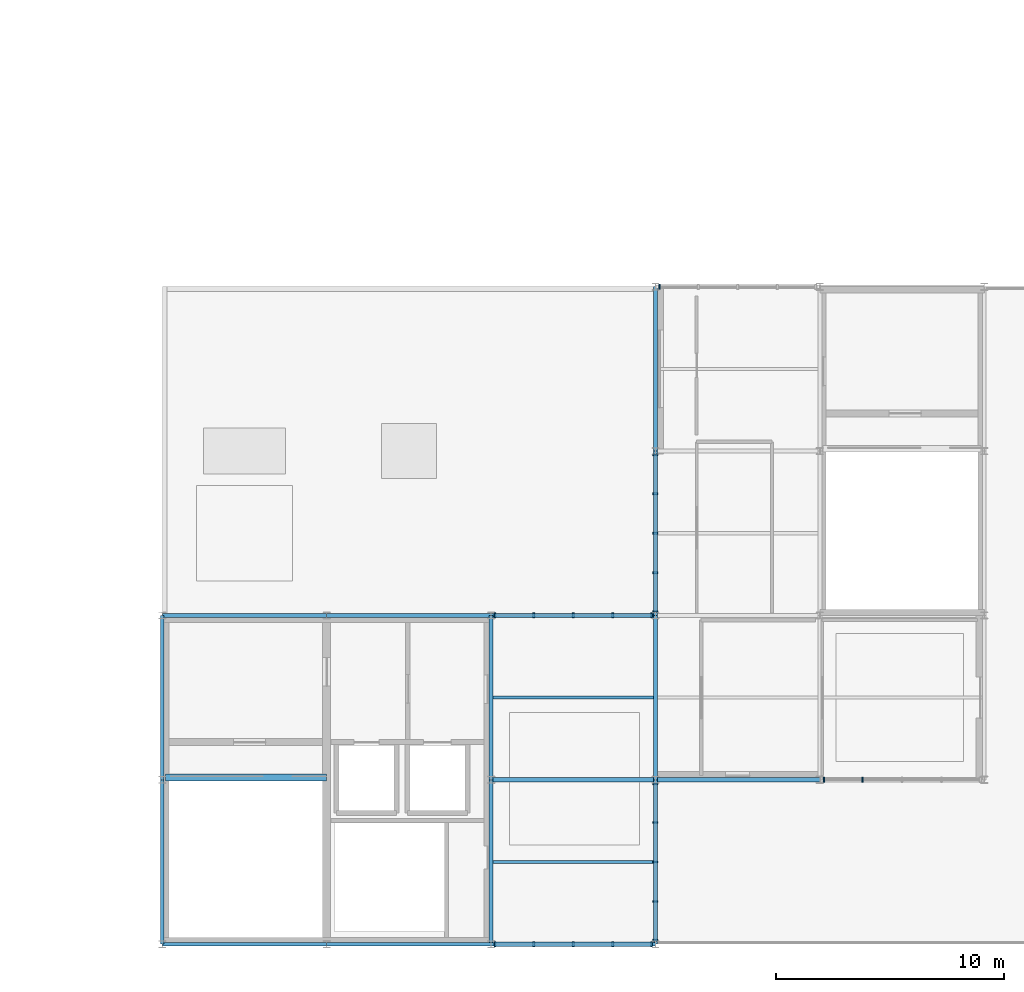
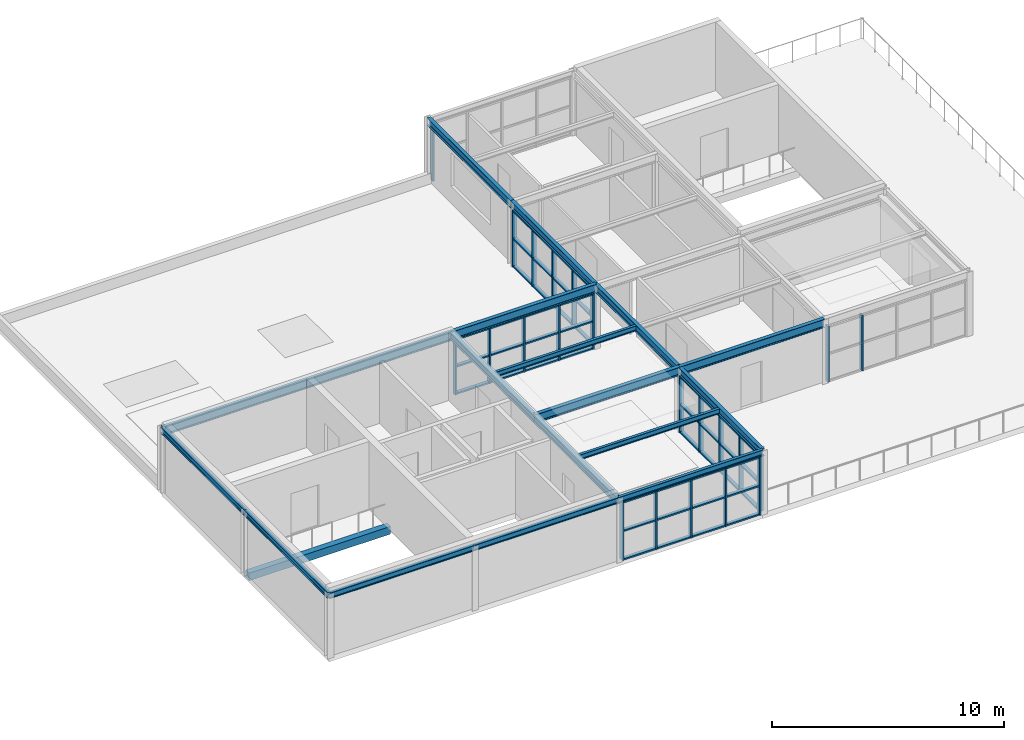
# One storey, part 11 of 22: 35 members, 19 beams, 6 elements without a shape of their own.
"""IFC4 building model written with IfcOpenShell, lengths in metres."""

from ifc_helpers import new_model, si_unit, direction, frame, origin, origin_2d, place, context, subcontext, project, spatial, rectangle, i_section, extrude, material, material_profile, profile_set, type_object, element, aggregate, save


model = new_model("IFC4")

# Units and contexts
model_context = context("Model", 3, precision=1e-05, world=origin(), true_north=direction((0.0, 1.0)))
body_context = subcontext(model_context, "Body", "Model", "MODEL_VIEW")
ifc_project = project(units=[si_unit("LENGTHUNIT", "METRE"), si_unit("AREAUNIT", "SQUARE_METRE"), si_unit("VOLUMEUNIT", "CUBIC_METRE"), si_unit("PLANEANGLEUNIT", "RADIAN"), si_unit("MASSUNIT", "GRAM", prefix="KILO")], contexts=[model_context])

# Site, building, storey
site_placement = place(None, origin())
site = spatial("IfcSite", under=ifc_project, at=site_placement, CompositionType="ELEMENT")
building_placement = place(site_placement, origin())
building = spatial("IfcBuilding", under=site, at=building_placement, Name="Leyfeld Transit Interchange", CompositionType="ELEMENT")
storey_placement = place(building_placement, frame((0.0, 0.0, 18.0)))
storey = spatial("IfcBuildingStorey", under=building, at=storey_placement, Name="L04", CompositionType="ELEMENT", Elevation=18.0)

# Beams
ifc_material_1 = material(Name="Concrete C35/45", Category="concrete")
ifc_material_profile_1 = material_profile(ifc_material_1, rectangle(XDim=0.300048828125, YDim=0.39990234375, at=origin_2d()), Name="RC 400x300")
ifc_profile_set_1 = profile_set([ifc_material_profile_1], Name="Concrete C35/45")
beam_type_1 = type_object("IfcBeamType", Name="BM-RC-400x300", PredefinedType="LINTEL", material=ifc_profile_set_1)
beam_1_placement = place(storey_placement, frame((136.949951171875, 64.89990234375, -0.199951171875), z_axis=(1.0, 0.0, 0.0), x_axis=(0.0, 1.0, 0.0)))
element("IfcBeam", 1, at=beam_1_placement, inside=storey, type_object=beam_type_1, Name="Core K4 Floor Landing Corbel L04", PredefinedType="LINTEL", context=body_context, shape_type="SweptSolid", body=[
    extrude(rectangle(XDim=0.300048828125, YDim=0.39990234375, at=origin_2d()), origin(), (0.0, 0.0, 1.0), 7.050048828125),
])
ifc_material_2 = material(Name="Steel S355J2", Category="steel")
ifc_material_profile_2 = material_profile(ifc_material_2, i_section(OverallWidth=0.135009765625, OverallDepth=0.27001953125, WebThickness=0.006591796875, FlangeThickness=0.01025390625, FilletRadius=0.014892578125, at=origin_2d()), Name="IPE 270")
ifc_profile_set_2 = profile_set([ifc_material_profile_2], Name="Steel S355J2")
beam_type_2 = type_object("IfcBeamType", Name="BM-STL-IPE270", PredefinedType="BEAM", material=ifc_profile_set_2)
for number, where, z_axis, x_axis, name in (
    (2, (151.287109375, 61.199951171875, 3.2451171875), (1.0, 0.0, 0.0), (0.0, 1.0, 0.0), "Beam BM-L04-1513_0612-1583_0612"),
    (3, (151.287109375, 68.39990234375, 3.2451171875), (1.0, 0.0, 0.0), (0.0, 1.0, 0.0), "Beam BM-L04-1513_0684-1583_0684"),
):
    element("IfcBeam", number, at=place(storey_placement, frame(where, z_axis=z_axis, x_axis=x_axis)), inside=storey, type_object=beam_type_2, Name=name, PredefinedType="BEAM", context=body_context, shape_type="SweptSolid", body=[
        extrude(i_section(OverallWidth=0.135009765625, OverallDepth=0.27001953125, WebThickness=0.006591796875, FlangeThickness=0.01025390625, FilletRadius=0.014892578125, at=origin_2d()), origin(), (0.0, 0.0, 1.0), 7.02587890625),
    ])
ifc_material_profile_3 = material_profile(ifc_material_2, i_section(OverallWidth=0.14990234375, OverallDepth=0.300048828125, WebThickness=0.007080078125, FlangeThickness=0.0107421875, FilletRadius=0.014892578125, at=origin_2d()), Name="IPE 300")
ifc_profile_set_3 = profile_set([ifc_material_profile_3], Name="Steel S355J2")
beam_type_3 = type_object("IfcBeamType", Name="BM-STL-IPE300", PredefinedType="SPANDREL", material=ifc_profile_set_3)
for number, where, z_axis, x_axis, name in (
    (4, (136.800048828125, 57.60009765625, 3.22998046875), (0.0, 1.0, 0.0), (-1.0, 0.0, 0.0), "Beam BM-L04-1368_0576-1368_0648"),
    (5, (136.800048828125, 64.800048828125, 3.22998046875), (0.0, 1.0, 0.0), (-1.0, 0.0, 0.0), "Beam BM-L04-1368_0648-1368_0720"),
    (6, (136.800048828125, 57.60009765625, 3.22998046875), (1.0, 0.0, 0.0), (0.0, 1.0, 0.0), "Beam BM-L04-1368_0576-1440_0576"),
    (7, (144.0, 57.60009765625, 3.22998046875), (1.0, 0.0, 0.0), (0.0, 1.0, 0.0), "Beam BM-L04-1440_0576-1512_0576"),
    (8, (151.199951171875, 57.60009765625, 3.22998046875), (1.0, 0.0, 0.0), (0.0, 1.0, 0.0), "Beam BM-L04-1512_0576-1584_0576"),
):
    element("IfcBeam", number, at=place(storey_placement, frame(where, z_axis=z_axis, x_axis=x_axis)), inside=storey, type_object=beam_type_3, Name=name, PredefinedType="SPANDREL", context=body_context, shape_type="SweptSolid", body=[
        extrude(i_section(OverallWidth=0.14990234375, OverallDepth=0.300048828125, WebThickness=0.007080078125, FlangeThickness=0.0107421875, FilletRadius=0.014892578125, at=origin_2d()), origin(), (0.0, 0.0, 1.0), 7.199951171875),
    ])
ifc_material_profile_4 = material_profile(ifc_material_2, i_section(OverallWidth=0.179931640625, OverallDepth=0.39990234375, WebThickness=0.008544921875, FlangeThickness=0.013427734375, FilletRadius=0.02099609375, at=origin_2d()), Name="IPE 400")
ifc_profile_set_4 = profile_set([ifc_material_profile_4], Name="Steel S355J2")
beam_type_4 = type_object("IfcBeamType", Name="BM-STL-IPE400", PredefinedType="BEAM", material=ifc_profile_set_4)
for number, where, z_axis, x_axis, name in (
    (9, (151.199951171875, 57.60009765625, 3.179931640625), (0.0, 1.0, 0.0), (-1.0, 0.0, 0.0), "Beam BM-L04-1512_0576-1512_0648"),
    (10, (151.199951171875, 64.800048828125, 3.179931640625), (0.0, 1.0, 0.0), (-1.0, 0.0, 0.0), "Beam BM-L04-1512_0648-1512_0720"),
    (11, (158.39990234375, 57.60009765625, 3.179931640625), (0.0, 1.0, 0.0), (-1.0, 0.0, 0.0), "Beam BM-L04-1584_0576-1584_0648"),
    (12, (158.39990234375, 64.800048828125, 3.179931640625), (0.0, 1.0, 0.0), (-1.0, 0.0, 0.0), "Beam BM-L04-1584_0648-1584_0720"),
    (13, (158.39990234375, 72.0, 3.179931640625), (0.0, 1.0, 0.0), (-1.0, 0.0, 0.0), "Beam BM-L04-1584_0720-1584_0792"),
    (14, (158.39990234375, 79.199951171875, 3.179931640625), (0.0, 1.0, 0.0), (-1.0, 0.0, 0.0), "Beam BM-L04-1584_0792-1584_0864"),
):
    element("IfcBeam", number, at=place(storey_placement, frame(where, z_axis=z_axis, x_axis=x_axis)), inside=storey, type_object=beam_type_4, Name=name, PredefinedType="BEAM", context=body_context, shape_type="SweptSolid", body=[
        extrude(i_section(OverallWidth=0.179931640625, OverallDepth=0.39990234375, WebThickness=0.008544921875, FlangeThickness=0.013427734375, FilletRadius=0.02099609375, at=origin_2d()), origin(), (0.0, 0.0, 1.0), 7.199951171875),
    ])
ifc_material_profile_5 = material_profile(ifc_material_2, i_section(OverallWidth=0.18994140625, OverallDepth=0.449951171875, WebThickness=0.009521484375, FlangeThickness=0.0146484375, FilletRadius=0.02099609375, at=origin_2d()), Name="IPE 450")
ifc_profile_set_5 = profile_set([ifc_material_profile_5], Name="Steel S355J2")
beam_type_5 = type_object("IfcBeamType", Name="BM-STL-IPE450", PredefinedType="BEAM", material=ifc_profile_set_5)
beam_2_placement = place(storey_placement, frame((151.199951171875, 64.800048828125, 3.155029296875), z_axis=(1.0, 0.0, 0.0), x_axis=(0.0, 1.0, 0.0)))
element("IfcBeam", 15, at=beam_2_placement, inside=storey, type_object=beam_type_5, Name="Beam BM-L04-1512_0648-1584_0648", PredefinedType="BEAM", context=body_context, shape_type="SweptSolid", body=[
    extrude(i_section(OverallWidth=0.18994140625, OverallDepth=0.449951171875, WebThickness=0.009521484375, FlangeThickness=0.0146484375, FilletRadius=0.02099609375, at=origin_2d()), origin(), (0.0, 0.0, 1.0), 7.199951171875),
])
beam_3_placement = place(storey_placement, frame((158.39990234375, 64.800048828125, 3.155029296875), z_axis=(1.0, 0.0, 0.0), x_axis=(0.0, 1.0, 0.0)))
element("IfcBeam", 16, at=beam_3_placement, inside=storey, type_object=beam_type_5, Name="Beam BM-L04-1584_0648-1656_0648", PredefinedType="BEAM", context=body_context, shape_type="SweptSolid", body=[
    extrude(i_section(OverallWidth=0.18994140625, OverallDepth=0.449951171875, WebThickness=0.009521484375, FlangeThickness=0.0146484375, FilletRadius=0.02099609375, at=origin_2d()), origin(), (0.0, 0.0, 1.0), 7.2001953125),
])
for number, where, z_axis, x_axis, name in (
    (17, (136.800048828125, 72.0, 3.155029296875), (1.0, 0.0, 0.0), (0.0, 1.0, 0.0), "Beam BM-L04-1368_0720-1440_0720"),
    (18, (144.0, 72.0, 3.155029296875), (1.0, 0.0, 0.0), (0.0, 1.0, 0.0), "Beam BM-L04-1440_0720-1512_0720"),
    (19, (151.199951171875, 72.0, 3.155029296875), (1.0, 0.0, 0.0), (0.0, 1.0, 0.0), "Beam BM-L04-1512_0720-1584_0720"),
):
    element("IfcBeam", number, at=place(storey_placement, frame(where, z_axis=z_axis, x_axis=x_axis)), inside=storey, type_object=beam_type_5, Name=name, PredefinedType="BEAM", context=body_context, shape_type="SweptSolid", body=[
        extrude(i_section(OverallWidth=0.18994140625, OverallDepth=0.449951171875, WebThickness=0.009521484375, FlangeThickness=0.0146484375, FilletRadius=0.02099609375, at=origin_2d()), origin(), (0.0, 0.0, 1.0), 7.199951171875),
    ])

# Curtain wall, members
ifc_material_3 = material(Name="Anodised aluminium EN AW-6060 T66", Category="aluminium")
curtain_wall_type = type_object("IfcCurtainWallType", Name="CW-SYS-BUS-7200", PredefinedType="NOTDEFINED", material=ifc_material_3)
curtain_wall_1_placement = place(storey_placement, origin())
curtain_wall_1 = element("IfcCurtainWall", 20, at=curtain_wall_1_placement, inside=storey, type_object=curtain_wall_type, Name="Curtain Wall CW-L04-139", PredefinedType="NOTDEFINED")
ifc_material_profile_6 = material_profile(ifc_material_3, rectangle(XDim=0.074951171875, YDim=0.219970703125, at=origin_2d()), Name="CW-M 75x220")
ifc_profile_set_6 = profile_set([ifc_material_profile_6], Name="Anodised aluminium EN AW-6060 T66")
member_type_1 = type_object("IfcMemberType", Name="CW-MUL-180x70", PredefinedType="MULLION", material=ifc_profile_set_6)
member_1_placement = place(storey_placement, frame((151.37744140625, 72.0, 0.0), z_axis=(0.0, 0.0, 1.0), x_axis=(1.0, 0.0, 0.0)))
member_1 = element("IfcMember", 21, at=member_1_placement, type_object=member_type_1, Name="Curtain Mullion CW-L04-139-M01", PredefinedType="MULLION", context=body_context, shape_type="SweptSolid", body=[
    extrude(rectangle(XDim=0.074951171875, YDim=0.219970703125, at=origin_2d()), origin(), (0.0, 0.0, 1.0), 2.929931640625),
])
member_2_placement = place(storey_placement, frame((153.070068359375, 72.0, 0.0), z_axis=(0.0, 0.0, 1.0), x_axis=(1.0, 0.0, 0.0)))
member_2 = element("IfcMember", 22, at=member_2_placement, type_object=member_type_1, Name="Curtain Mullion CW-L04-139-M02", PredefinedType="MULLION", context=body_context, shape_type="SweptSolid", body=[
    extrude(rectangle(XDim=0.074951171875, YDim=0.219970703125, at=origin_2d()), origin(), (0.0, 0.0, 1.0), 2.929931640625),
])
member_3_placement = place(storey_placement, frame((154.800048828125, 72.0, 0.0), z_axis=(0.0, 0.0, 1.0), x_axis=(1.0, 0.0, 0.0)))
member_3 = element("IfcMember", 23, at=member_3_placement, type_object=member_type_1, Name="Curtain Mullion CW-L04-139-M03", PredefinedType="MULLION", context=body_context, shape_type="SweptSolid", body=[
    extrude(rectangle(XDim=0.074951171875, YDim=0.219970703125, at=origin_2d()), origin(), (0.0, 0.0, 1.0), 2.929931640625),
])
member_4_placement = place(storey_placement, frame((156.530029296875, 72.0, 0.0), z_axis=(0.0, 0.0, 1.0), x_axis=(1.0, 0.0, 0.0)))
member_4 = element("IfcMember", 24, at=member_4_placement, type_object=member_type_1, Name="Curtain Mullion CW-L04-139-M04", PredefinedType="MULLION", context=body_context, shape_type="SweptSolid", body=[
    extrude(rectangle(XDim=0.074951171875, YDim=0.219970703125, at=origin_2d()), origin(), (0.0, 0.0, 1.0), 2.929931640625),
])
member_5_placement = place(storey_placement, frame((158.222412109375, 72.0, 0.0), z_axis=(0.0, 0.0, 1.0), x_axis=(1.0, 0.0, 0.0)))
member_5 = element("IfcMember", 25, at=member_5_placement, type_object=member_type_1, Name="Curtain Mullion CW-L04-139-M05", PredefinedType="MULLION", context=body_context, shape_type="SweptSolid", body=[
    extrude(rectangle(XDim=0.074951171875, YDim=0.219970703125, at=origin_2d()), origin(), (0.0, 0.0, 1.0), 2.929931640625),
])

curtain_wall_2_placement = place(storey_placement, origin())
curtain_wall_2 = element("IfcCurtainWall", 26, at=curtain_wall_2_placement, inside=storey, type_object=curtain_wall_type, Name="Curtain Wall CW-L04-140", PredefinedType="NOTDEFINED")
member_6_placement = place(storey_placement, frame((158.39990234375, 72.177490234375, 0.0), z_axis=(0.0, 0.0, 1.0), x_axis=(0.0, 1.0, 0.0)))
member_6 = element("IfcMember", 27, at=member_6_placement, type_object=member_type_1, Name="Curtain Mullion CW-L04-140-M01", PredefinedType="MULLION", context=body_context, shape_type="SweptSolid", body=[
    extrude(rectangle(XDim=0.074951171875, YDim=0.219970703125, at=origin_2d()), origin(), (0.0, 0.0, 1.0), 2.97998046875),
])
member_7_placement = place(storey_placement, frame((158.39990234375, 73.8701171875, 0.0), z_axis=(0.0, 0.0, 1.0), x_axis=(0.0, 1.0, 0.0)))
member_7 = element("IfcMember", 28, at=member_7_placement, type_object=member_type_1, Name="Curtain Mullion CW-L04-140-M02", PredefinedType="MULLION", context=body_context, shape_type="SweptSolid", body=[
    extrude(rectangle(XDim=0.074951171875, YDim=0.219970703125, at=origin_2d()), origin(), (0.0, 0.0, 1.0), 2.97998046875),
])
member_8_placement = place(storey_placement, frame((158.39990234375, 75.60009765625, 0.0), z_axis=(0.0, 0.0, 1.0), x_axis=(0.0, 1.0, 0.0)))
member_8 = element("IfcMember", 29, at=member_8_placement, type_object=member_type_1, Name="Curtain Mullion CW-L04-140-M03", PredefinedType="MULLION", context=body_context, shape_type="SweptSolid", body=[
    extrude(rectangle(XDim=0.074951171875, YDim=0.219970703125, at=origin_2d()), origin(), (0.0, 0.0, 1.0), 2.97998046875),
])
member_9_placement = place(storey_placement, frame((158.39990234375, 77.330078125, 0.0), z_axis=(0.0, 0.0, 1.0), x_axis=(0.0, 1.0, 0.0)))
member_9 = element("IfcMember", 30, at=member_9_placement, type_object=member_type_1, Name="Curtain Mullion CW-L04-140-M04", PredefinedType="MULLION", context=body_context, shape_type="SweptSolid", body=[
    extrude(rectangle(XDim=0.074951171875, YDim=0.219970703125, at=origin_2d()), origin(), (0.0, 0.0, 1.0), 2.97998046875),
])
member_10_placement = place(storey_placement, frame((158.39990234375, 79.0224609375, 0.0), z_axis=(0.0, 0.0, 1.0), x_axis=(0.0, 1.0, 0.0)))
member_10 = element("IfcMember", 31, at=member_10_placement, type_object=member_type_1, Name="Curtain Mullion CW-L04-140-M05", PredefinedType="MULLION", context=body_context, shape_type="SweptSolid", body=[
    extrude(rectangle(XDim=0.074951171875, YDim=0.219970703125, at=origin_2d()), origin(), (0.0, 0.0, 1.0), 2.97998046875),
])

# Curtain wall, member
curtain_wall_3_placement = place(storey_placement, origin())
curtain_wall_3 = element("IfcCurtainWall", 32, at=curtain_wall_3_placement, inside=storey, type_object=curtain_wall_type, Name="Curtain Wall CW-L04-141", PredefinedType="NOTDEFINED")
member_11_placement = place(storey_placement, frame((158.577392578125, 86.39990234375, 0.0), z_axis=(0.0, 0.0, 1.0), x_axis=(1.0, 0.0, 0.0)))
member_11 = element("IfcMember", 33, at=member_11_placement, type_object=member_type_1, Name="Curtain Mullion CW-L04-141-M01", PredefinedType="MULLION", context=body_context, shape_type="SweptSolid", body=[
    extrude(rectangle(XDim=0.074951171875, YDim=0.219970703125, at=origin_2d()), origin(), (0.0, 0.0, 1.0), 3.080078125),
])
aggregate(curtain_wall_3, [member_11])

# Curtain wall, members
curtain_wall_4_placement = place(storey_placement, origin())
curtain_wall_4 = element("IfcCurtainWall", 34, at=curtain_wall_4_placement, inside=storey, type_object=curtain_wall_type, Name="Curtain Wall CW-L04-142", PredefinedType="NOTDEFINED")
member_12_placement = place(storey_placement, frame((167.469970703125, 64.800048828125, 0.0), z_axis=(0.0, 0.0, 1.0), x_axis=(-1.0, 0.0, 0.0)))
member_12 = element("IfcMember", 35, at=member_12_placement, type_object=member_type_1, Name="Curtain Mullion CW-L04-142-M04", PredefinedType="MULLION", context=body_context, shape_type="SweptSolid", body=[
    extrude(rectangle(XDim=0.074951171875, YDim=0.219970703125, at=origin_2d()), origin(), (0.0, 0.0, 1.0), 2.929931640625),
])
member_13_placement = place(storey_placement, frame((165.777587890625, 64.800048828125, 0.0), z_axis=(0.0, 0.0, 1.0), x_axis=(-1.0, 0.0, 0.0)))
member_13 = element("IfcMember", 36, at=member_13_placement, type_object=member_type_1, Name="Curtain Mullion CW-L04-142-M05", PredefinedType="MULLION", context=body_context, shape_type="SweptSolid", body=[
    extrude(rectangle(XDim=0.074951171875, YDim=0.219970703125, at=origin_2d()), origin(), (0.0, 0.0, 1.0), 2.929931640625),
])
aggregate(curtain_wall_4, [member_12, member_13])

curtain_wall_5_placement = place(storey_placement, origin())
curtain_wall_5 = element("IfcCurtainWall", 37, at=curtain_wall_5_placement, inside=storey, type_object=curtain_wall_type, Name="Curtain Wall CW-L04-143", PredefinedType="NOTDEFINED")
member_14_placement = place(storey_placement, frame((158.39990234375, 64.62255859375, 0.0), z_axis=(0.0, 0.0, 1.0), x_axis=(0.0, -1.0, 0.0)))
member_14 = element("IfcMember", 38, at=member_14_placement, type_object=member_type_1, Name="Curtain Mullion CW-L04-143-M01", PredefinedType="MULLION", context=body_context, shape_type="SweptSolid", body=[
    extrude(rectangle(XDim=0.074951171875, YDim=0.219970703125, at=origin_2d()), origin(), (0.0, 0.0, 1.0), 2.97998046875),
])
member_15_placement = place(storey_placement, frame((158.39990234375, 62.929931640625, 0.0), z_axis=(0.0, 0.0, 1.0), x_axis=(0.0, -1.0, 0.0)))
member_15 = element("IfcMember", 39, at=member_15_placement, type_object=member_type_1, Name="Curtain Mullion CW-L04-143-M02", PredefinedType="MULLION", context=body_context, shape_type="SweptSolid", body=[
    extrude(rectangle(XDim=0.074951171875, YDim=0.219970703125, at=origin_2d()), origin(), (0.0, 0.0, 1.0), 2.97998046875),
])
member_16_placement = place(storey_placement, frame((158.39990234375, 61.199951171875, 0.0), z_axis=(0.0, 0.0, 1.0), x_axis=(0.0, -1.0, 0.0)))
member_16 = element("IfcMember", 40, at=member_16_placement, type_object=member_type_1, Name="Curtain Mullion CW-L04-143-M03", PredefinedType="MULLION", context=body_context, shape_type="SweptSolid", body=[
    extrude(rectangle(XDim=0.074951171875, YDim=0.219970703125, at=origin_2d()), origin(), (0.0, 0.0, 1.0), 2.97998046875),
])
member_17_placement = place(storey_placement, frame((158.39990234375, 59.469970703125, 0.0), z_axis=(0.0, 0.0, 1.0), x_axis=(0.0, -1.0, 0.0)))
member_17 = element("IfcMember", 41, at=member_17_placement, type_object=member_type_1, Name="Curtain Mullion CW-L04-143-M04", PredefinedType="MULLION", context=body_context, shape_type="SweptSolid", body=[
    extrude(rectangle(XDim=0.074951171875, YDim=0.219970703125, at=origin_2d()), origin(), (0.0, 0.0, 1.0), 2.97998046875),
])
member_18_placement = place(storey_placement, frame((158.39990234375, 57.777587890625, 0.0), z_axis=(0.0, 0.0, 1.0), x_axis=(0.0, -1.0, 0.0)))
member_18 = element("IfcMember", 42, at=member_18_placement, type_object=member_type_1, Name="Curtain Mullion CW-L04-143-M05", PredefinedType="MULLION", context=body_context, shape_type="SweptSolid", body=[
    extrude(rectangle(XDim=0.074951171875, YDim=0.219970703125, at=origin_2d()), origin(), (0.0, 0.0, 1.0), 2.97998046875),
])

curtain_wall_6_placement = place(storey_placement, origin())
curtain_wall_6 = element("IfcCurtainWall", 43, at=curtain_wall_6_placement, inside=storey, type_object=curtain_wall_type, Name="Curtain Wall CW-L04-144", PredefinedType="NOTDEFINED")
member_19_placement = place(storey_placement, frame((158.222412109375, 57.60009765625, 0.0), z_axis=(0.0, 0.0, 1.0), x_axis=(-1.0, 0.0, 0.0)))
member_19 = element("IfcMember", 44, at=member_19_placement, type_object=member_type_1, Name="Curtain Mullion CW-L04-144-M01", PredefinedType="MULLION", context=body_context, shape_type="SweptSolid", body=[
    extrude(rectangle(XDim=0.074951171875, YDim=0.219970703125, at=origin_2d()), origin(), (0.0, 0.0, 1.0), 3.080078125),
])
member_20_placement = place(storey_placement, frame((156.530029296875, 57.60009765625, 0.0), z_axis=(0.0, 0.0, 1.0), x_axis=(-1.0, 0.0, 0.0)))
member_20 = element("IfcMember", 45, at=member_20_placement, type_object=member_type_1, Name="Curtain Mullion CW-L04-144-M02", PredefinedType="MULLION", context=body_context, shape_type="SweptSolid", body=[
    extrude(rectangle(XDim=0.074951171875, YDim=0.219970703125, at=origin_2d()), origin(), (0.0, 0.0, 1.0), 3.080078125),
])
member_21_placement = place(storey_placement, frame((154.800048828125, 57.60009765625, 0.0), z_axis=(0.0, 0.0, 1.0), x_axis=(-1.0, 0.0, 0.0)))
member_21 = element("IfcMember", 46, at=member_21_placement, type_object=member_type_1, Name="Curtain Mullion CW-L04-144-M03", PredefinedType="MULLION", context=body_context, shape_type="SweptSolid", body=[
    extrude(rectangle(XDim=0.074951171875, YDim=0.219970703125, at=origin_2d()), origin(), (0.0, 0.0, 1.0), 3.080078125),
])
member_22_placement = place(storey_placement, frame((153.070068359375, 57.60009765625, 0.0), z_axis=(0.0, 0.0, 1.0), x_axis=(-1.0, 0.0, 0.0)))
member_22 = element("IfcMember", 47, at=member_22_placement, type_object=member_type_1, Name="Curtain Mullion CW-L04-144-M04", PredefinedType="MULLION", context=body_context, shape_type="SweptSolid", body=[
    extrude(rectangle(XDim=0.074951171875, YDim=0.219970703125, at=origin_2d()), origin(), (0.0, 0.0, 1.0), 3.080078125),
])
member_23_placement = place(storey_placement, frame((151.37744140625, 57.60009765625, 0.0), z_axis=(0.0, 0.0, 1.0), x_axis=(-1.0, 0.0, 0.0)))
member_23 = element("IfcMember", 48, at=member_23_placement, type_object=member_type_1, Name="Curtain Mullion CW-L04-144-M05", PredefinedType="MULLION", context=body_context, shape_type="SweptSolid", body=[
    extrude(rectangle(XDim=0.074951171875, YDim=0.219970703125, at=origin_2d()), origin(), (0.0, 0.0, 1.0), 3.080078125),
])

# Member
ifc_material_profile_7 = material_profile(ifc_material_3, rectangle(XDim=0.179931640625, YDim=0.074951171875, at=origin_2d()), Name="CW-TRN-160x70")
ifc_profile_set_7 = profile_set([ifc_material_profile_7], Name="Anodised aluminium EN AW-6060 T66")
member_type_2 = type_object("IfcMemberType", Name="CW-TRN-160x70", PredefinedType="USERDEFINED", material=ifc_profile_set_7)
member_24_placement = place(storey_placement, frame((151.340087890625, 72.0, 0.03759765625), z_axis=(1.0, 0.0, 0.0), x_axis=(0.0, 1.0, 0.0)))
member_24 = element("IfcMember", 49, at=member_24_placement, type_object=member_type_2, Name="Curtain Transom CW-L04-139-T01", ObjectType="TRANSOM", PredefinedType="USERDEFINED", context=body_context, shape_type="SweptSolid", body=[
    extrude(rectangle(XDim=0.179931640625, YDim=0.074951171875, at=origin_2d()), origin(), (0.0, 0.0, 1.0), 6.919921875),
])

member_25_placement = place(storey_placement, frame((151.340087890625, 72.0, 1.465087890625), z_axis=(1.0, 0.0, 0.0), x_axis=(0.0, 1.0, 0.0)))
member_25 = element("IfcMember", 50, at=member_25_placement, type_object=member_type_2, Name="Curtain Transom CW-L04-139-T02", ObjectType="TRANSOM", PredefinedType="USERDEFINED", context=body_context, shape_type="SweptSolid", body=[
    extrude(rectangle(XDim=0.179931640625, YDim=0.074951171875, at=origin_2d()), origin(), (0.0, 0.0, 1.0), 6.919921875),
])

member_26_placement = place(storey_placement, frame((151.340087890625, 72.0, 2.892578125), z_axis=(1.0, 0.0, 0.0), x_axis=(0.0, 1.0, 0.0)))
member_26 = element("IfcMember", 51, at=member_26_placement, type_object=member_type_2, Name="Curtain Transom CW-L04-139-T03", ObjectType="TRANSOM", PredefinedType="USERDEFINED", context=body_context, shape_type="SweptSolid", body=[
    extrude(rectangle(XDim=0.179931640625, YDim=0.074951171875, at=origin_2d()), origin(), (0.0, 0.0, 1.0), 6.919921875),
])

aggregate(curtain_wall_1, [member_1, member_2, member_3, member_4, member_5, member_24, member_25, member_26])

member_27_placement = place(storey_placement, frame((158.39990234375, 72.139892578125, 0.03759765625), z_axis=(0.0, 1.0, 0.0), x_axis=(-1.0, 0.0, 0.0)))
member_27 = element("IfcMember", 52, at=member_27_placement, type_object=member_type_2, Name="Curtain Transom CW-L04-140-T01", ObjectType="TRANSOM", PredefinedType="USERDEFINED", context=body_context, shape_type="SweptSolid", body=[
    extrude(rectangle(XDim=0.179931640625, YDim=0.074951171875, at=origin_2d()), origin(), (0.0, 0.0, 1.0), 6.920166015625),
])

member_28_placement = place(storey_placement, frame((158.39990234375, 72.139892578125, 1.489990234375), z_axis=(0.0, 1.0, 0.0), x_axis=(-1.0, 0.0, 0.0)))
member_28 = element("IfcMember", 53, at=member_28_placement, type_object=member_type_2, Name="Curtain Transom CW-L04-140-T02", ObjectType="TRANSOM", PredefinedType="USERDEFINED", context=body_context, shape_type="SweptSolid", body=[
    extrude(rectangle(XDim=0.179931640625, YDim=0.074951171875, at=origin_2d()), origin(), (0.0, 0.0, 1.0), 6.920166015625),
])

member_29_placement = place(storey_placement, frame((158.39990234375, 72.139892578125, 2.9423828125), z_axis=(0.0, 1.0, 0.0), x_axis=(-1.0, 0.0, 0.0)))
member_29 = element("IfcMember", 54, at=member_29_placement, type_object=member_type_2, Name="Curtain Transom CW-L04-140-T03", ObjectType="TRANSOM", PredefinedType="USERDEFINED", context=body_context, shape_type="SweptSolid", body=[
    extrude(rectangle(XDim=0.179931640625, YDim=0.074951171875, at=origin_2d()), origin(), (0.0, 0.0, 1.0), 6.920166015625),
])

aggregate(curtain_wall_2, [member_6, member_7, member_8, member_9, member_10, member_27, member_28, member_29])

member_30_placement = place(storey_placement, frame((158.39990234375, 64.659912109375, 0.03759765625), z_axis=(0.0, -1.0, 0.0), x_axis=(1.0, 0.0, 0.0)))
member_30 = element("IfcMember", 55, at=member_30_placement, type_object=member_type_2, Name="Curtain Transom CW-L04-143-T01", ObjectType="TRANSOM", PredefinedType="USERDEFINED", context=body_context, shape_type="SweptSolid", body=[
    extrude(rectangle(XDim=0.179931640625, YDim=0.074951171875, at=origin_2d()), origin(), (0.0, 0.0, 1.0), 6.919921875),
])

member_31_placement = place(storey_placement, frame((158.39990234375, 64.659912109375, 1.489990234375), z_axis=(0.0, -1.0, 0.0), x_axis=(1.0, 0.0, 0.0)))
member_31 = element("IfcMember", 56, at=member_31_placement, type_object=member_type_2, Name="Curtain Transom CW-L04-143-T02", ObjectType="TRANSOM", PredefinedType="USERDEFINED", context=body_context, shape_type="SweptSolid", body=[
    extrude(rectangle(XDim=0.179931640625, YDim=0.074951171875, at=origin_2d()), origin(), (0.0, 0.0, 1.0), 6.919921875),
])

member_32_placement = place(storey_placement, frame((158.39990234375, 64.659912109375, 2.9423828125), z_axis=(0.0, -1.0, 0.0), x_axis=(1.0, 0.0, 0.0)))
member_32 = element("IfcMember", 57, at=member_32_placement, type_object=member_type_2, Name="Curtain Transom CW-L04-143-T03", ObjectType="TRANSOM", PredefinedType="USERDEFINED", context=body_context, shape_type="SweptSolid", body=[
    extrude(rectangle(XDim=0.179931640625, YDim=0.074951171875, at=origin_2d()), origin(), (0.0, 0.0, 1.0), 6.919921875),
])

aggregate(curtain_wall_5, [member_14, member_15, member_16, member_17, member_18, member_30, member_31, member_32])

member_33_placement = place(storey_placement, frame((158.260009765625, 57.60009765625, 0.03759765625), z_axis=(-1.0, 0.0, 0.0), x_axis=(0.0, -1.0, 0.0)))
member_33 = element("IfcMember", 58, at=member_33_placement, type_object=member_type_2, Name="Curtain Transom CW-L04-144-T01", ObjectType="TRANSOM", PredefinedType="USERDEFINED", context=body_context, shape_type="SweptSolid", body=[
    extrude(rectangle(XDim=0.179931640625, YDim=0.074951171875, at=origin_2d()), origin(), (0.0, 0.0, 1.0), 6.919921875),
])

member_34_placement = place(storey_placement, frame((158.260009765625, 57.60009765625, 1.5400390625), z_axis=(-1.0, 0.0, 0.0), x_axis=(0.0, -1.0, 0.0)))
member_34 = element("IfcMember", 59, at=member_34_placement, type_object=member_type_2, Name="Curtain Transom CW-L04-144-T02", ObjectType="TRANSOM", PredefinedType="USERDEFINED", context=body_context, shape_type="SweptSolid", body=[
    extrude(rectangle(XDim=0.179931640625, YDim=0.074951171875, at=origin_2d()), origin(), (0.0, 0.0, 1.0), 6.919921875),
])

member_35_placement = place(storey_placement, frame((158.260009765625, 57.60009765625, 3.04248046875), z_axis=(-1.0, 0.0, 0.0), x_axis=(0.0, -1.0, 0.0)))
member_35 = element("IfcMember", 60, at=member_35_placement, type_object=member_type_2, Name="Curtain Transom CW-L04-144-T03", ObjectType="TRANSOM", PredefinedType="USERDEFINED", context=body_context, shape_type="SweptSolid", body=[
    extrude(rectangle(XDim=0.179931640625, YDim=0.074951171875, at=origin_2d()), origin(), (0.0, 0.0, 1.0), 6.919921875),
])

aggregate(curtain_wall_6, [member_19, member_20, member_21, member_22, member_23, member_33, member_34, member_35])

save(model, "model.ifc")
